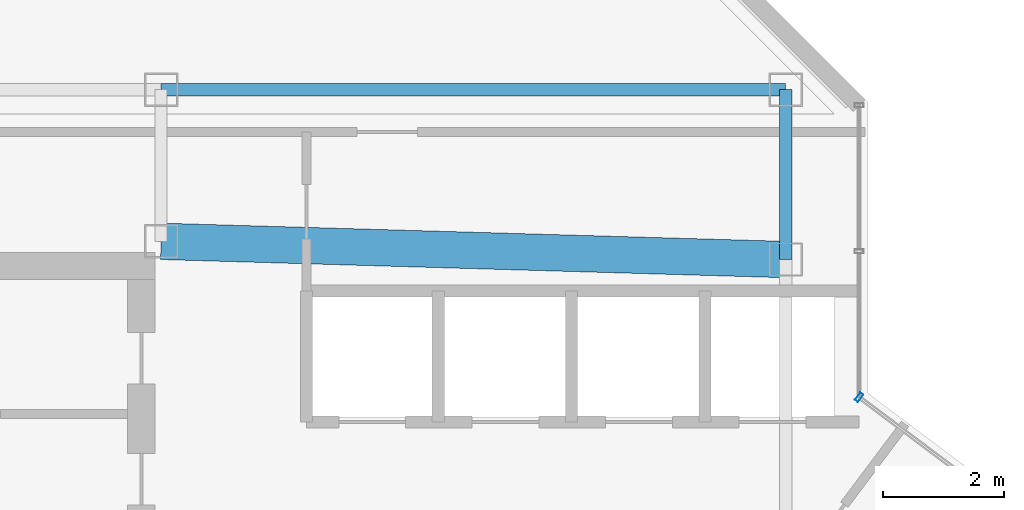
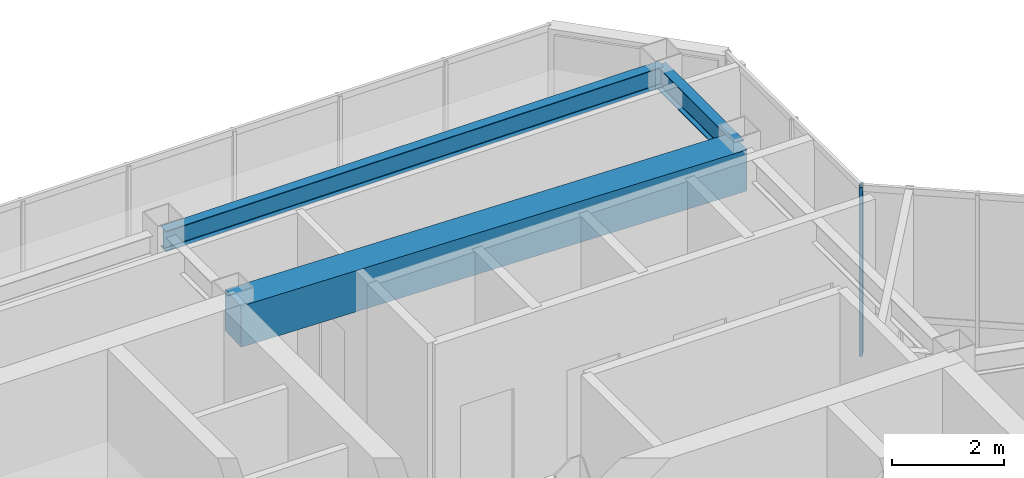
# One storey, part 14 of 24: 3 beams, 1 member, 1 element without a shape of its own.
"""IFC4 building model written with IfcOpenShell, lengths in metres."""

from ifc_helpers import new_model, si_unit, direction, frame, origin, origin_2d, place, context, subcontext, project, spatial, rectangle, hollow_rectangle, i_section, extrude, material, layer, layer_set, material_profile, profile_set, type_object, element, aggregate, save


model = new_model("IFC4")

# Units and contexts
model_context = context("Model", 3, precision=1e-05, world=origin(), true_north=direction((0.0, 1.0)))
body_context = subcontext(model_context, "Body", "Model", "MODEL_VIEW")
ifc_project = project(units=[si_unit("LENGTHUNIT", "METRE"), si_unit("AREAUNIT", "SQUARE_METRE"), si_unit("VOLUMEUNIT", "CUBIC_METRE"), si_unit("PLANEANGLEUNIT", "RADIAN"), si_unit("MASSUNIT", "GRAM", prefix="KILO")], contexts=[model_context])

# Site, building, storey
site_placement = place(None, origin())
site = spatial("IfcSite", under=ifc_project, at=site_placement, CompositionType="ELEMENT")
building_placement = place(site_placement, origin())
building = spatial("IfcBuilding", under=site, at=building_placement, Name="Hatsunagi Terrace Concourse", CompositionType="ELEMENT")
storey_placement = place(building_placement, frame((0.0, 0.0, 285.949951171875)))
storey = spatial("IfcBuildingStorey", under=building, at=storey_placement, Name="L75", CompositionType="ELEMENT", Elevation=285.949951171875)

# Beams
ifc_material_1 = material(Name="Concrete Fc42", Category="concrete")
ifc_material_profile_1 = material_profile(ifc_material_1, rectangle(XDim=0.60009765625, YDim=0.89990234375, at=origin_2d()), Name="RC-600x900")
ifc_profile_set_1 = profile_set([ifc_material_profile_1], Name="Concrete Fc42")
beam_type_1 = type_object("IfcBeamType", Name="CoreCouplingBeam_RC_600x900", PredefinedType="BEAM", material=ifc_profile_set_1)
beam_1_placement = place(storey_placement, frame((33.35009765625, 43.300048828125, 3.25), z_axis=(0.999575947545, -0.029119153303, 0.0), x_axis=(0.029119153303, 0.999575947545, 0.0)))
element("IfcBeam", 1, at=beam_1_placement, inside=storey, type_object=beam_type_1, Name="Beam CB-03 CB-L75-2", PredefinedType="BEAM", context=body_context, shape_type="SweptSolid", body=[
    extrude(rectangle(XDim=0.60009765625, YDim=0.89990234375, at=origin_2d()), origin(), (0.0, 0.0, 1.0), 10.30419921875),
])
ifc_material_2 = material(Name="Steel SN490B", Category="steel")
ifc_material_profile_2 = material_profile(ifc_material_2, i_section(OverallWidth=0.199951171875, OverallDepth=0.5, WebThickness=0.010009765625, FlangeThickness=0.01611328125, FilletRadius=0.01611328125, at=origin_2d()), Name="H-500x200x10x16")
ifc_profile_set_2 = profile_set([ifc_material_profile_2], Name="Steel SN490B")
beam_type_2 = type_object("IfcBeamType", Name="CrownFloorGirder_H_500x200", PredefinedType="BEAM", material=ifc_profile_set_2)
beam_2_placement = place(storey_placement, frame((43.64990234375, 43.0, 3.449951171875), z_axis=(0.0, 1.0, 0.0), x_axis=(-1.0, 0.0, 0.0)))
element("IfcBeam", 2, at=beam_2_placement, inside=storey, type_object=beam_type_2, Name="Beam G-07 BM-L75-CN3", PredefinedType="BEAM", context=body_context, shape_type="SweptSolid", body=[
    extrude(i_section(OverallWidth=0.199951171875, OverallDepth=0.5, WebThickness=0.010009765625, FlangeThickness=0.01611328125, FilletRadius=0.01611328125, at=origin_2d()), origin(), (0.0, 0.0, 1.0), 2.800048828125),
])

# Curtain wall, member
ifc_material_3 = material(Name="Anodised Aluminium Alloy 6063-T5", Category="aluminium")
ifc_layer = layer(ifc_material_3, 0.199951171875)
ifc_layer_set = layer_set([ifc_layer], Name="CrownWintergarden_CW06")
curtain_wall_type = type_object("IfcCurtainWallType", Name="CrownWintergarden_CW06", PredefinedType="NOTDEFINED", material=ifc_layer_set)
curtain_wall_placement = place(storey_placement, origin())
curtain_wall = element("IfcCurtainWall", 3, at=curtain_wall_placement, inside=storey, type_object=curtain_wall_type, Name="Unitised Curtain Wall CW-06 CW-L75-01", PredefinedType="NOTDEFINED")
ifc_material_4 = material(Name="Anodised Aluminium Alloy 6063-T5", Category="aluminium")
ifc_material_profile_3 = material_profile(ifc_material_4, hollow_rectangle(XDim=0.06494140625, YDim=0.14990234375, WallThickness=0.00390625, at=origin_2d()), Name="ALU-MUL-150x65x4")
ifc_profile_set_3 = profile_set([ifc_material_profile_3], Name="Anodised Aluminium Alloy 6063-T5")
member_type = type_object("IfcMemberType", Name="CurtainWallMullion_Crown_150x65", PredefinedType="MULLION", material=ifc_profile_set_3)
member_placement = place(storey_placement, frame((44.860107421875, 40.72998046875, 0.0), z_axis=(0.0, 0.0, 1.0), x_axis=(0.800028248794, -0.599962333093, 0.0)))
member = element("IfcMember", 4, at=member_placement, type_object=member_type, Name="Curtain Wall Mullion MUL-03", PredefinedType="MULLION", context=body_context, shape_type="SweptSolid", body=[
    extrude(hollow_rectangle(XDim=0.06494140625, YDim=0.14990234375, WallThickness=0.00390625, at=origin_2d()), origin(), (0.0, 0.0, 1.0), 3.699951171875),
])
aggregate(curtain_wall, [member])

# Beam
ifc_material_5 = material(Name="Steel SN490B", Category="steel")
ifc_material_profile_4 = material_profile(ifc_material_5, i_section(OverallWidth=0.199951171875, OverallDepth=0.449951171875, WebThickness=0.009033203125, FlangeThickness=0.013916015625, FilletRadius=0.01611328125, at=origin_2d()), Name="H-450x200x9x14")
ifc_profile_set_4 = profile_set([ifc_material_profile_4], Name="Steel SN490B")
beam_type_3 = type_object("IfcBeamType", Name="PerimeterSpandrel_H_450x200", PredefinedType="SPANDREL", material=ifc_profile_set_4)
beam_3_placement = place(storey_placement, frame((33.35009765625, 45.800048828125, 3.47509765625), z_axis=(1.0, 0.0, 0.0), x_axis=(0.0, 1.0, 0.0)))
element("IfcBeam", 5, at=beam_3_placement, inside=storey, type_object=beam_type_3, Name="Beam SP-02 BM-L75-CNEW2", PredefinedType="SPANDREL", context=body_context, shape_type="SweptSolid", body=[
    extrude(i_section(OverallWidth=0.199951171875, OverallDepth=0.449951171875, WebThickness=0.009033203125, FlangeThickness=0.013916015625, FilletRadius=0.01611328125, at=origin_2d()), origin(), (0.0, 0.0, 1.0), 10.2998046875),
])

save(model, "model.ifc")
